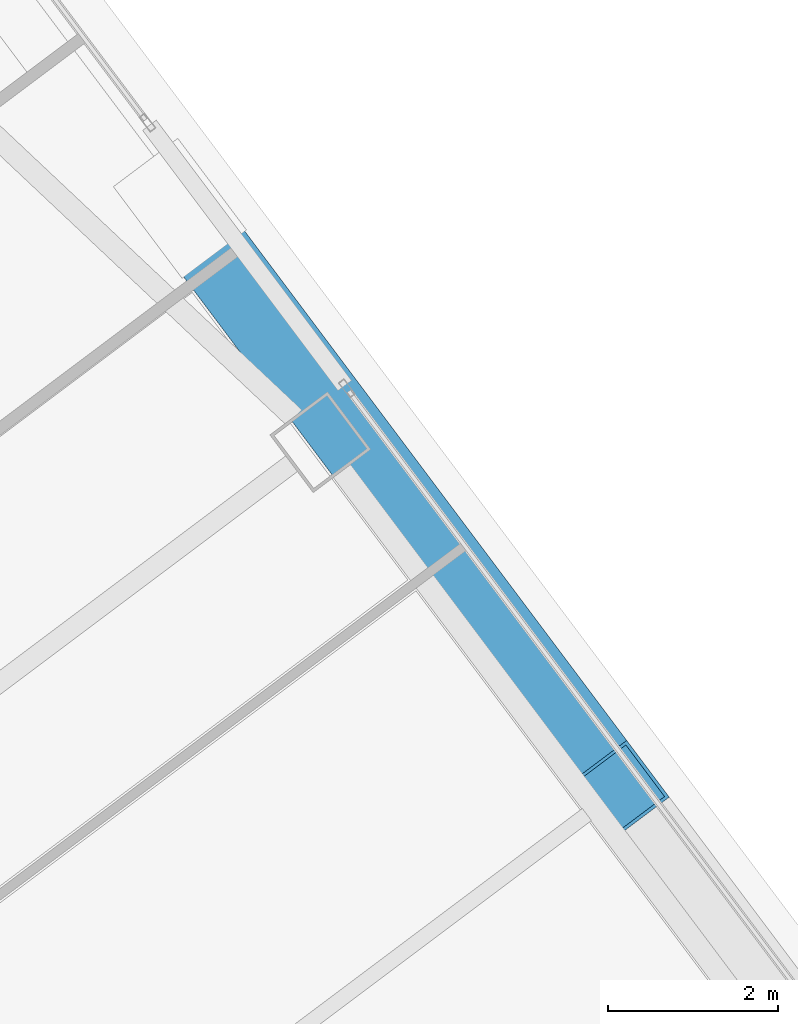
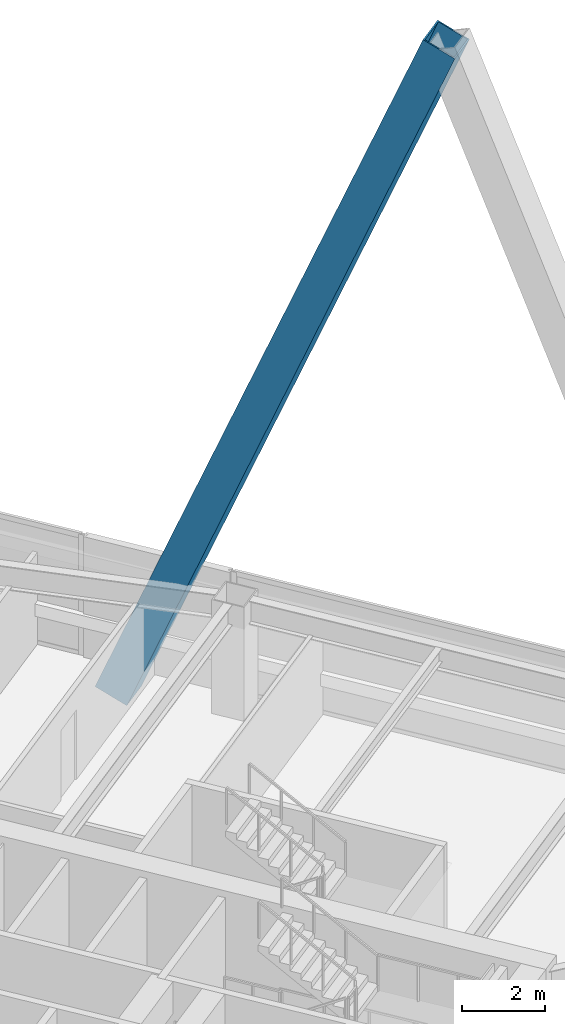
# One storey, part 38 of 54: 1 member.
"""IFC4 building model written with IfcOpenShell, lengths in metres."""

from ifc_helpers import new_model, si_unit, direction, frame, origin, origin_2d, place, context, subcontext, project, spatial, hollow_rectangle, extrude, material, material_profile, profile_set, type_object, element, save


model = new_model("IFC4")

# Units and contexts
model_context = context("Model", 3, precision=1e-05, world=origin(), true_north=direction((0.0, 1.0)))
body_context = subcontext(model_context, "Body", "Model", "MODEL_VIEW")
ifc_project = project(units=[si_unit("LENGTHUNIT", "METRE"), si_unit("AREAUNIT", "SQUARE_METRE"), si_unit("VOLUMEUNIT", "CUBIC_METRE"), si_unit("PLANEANGLEUNIT", "RADIAN"), si_unit("MASSUNIT", "GRAM", prefix="KILO")], contexts=[model_context])

# Site, building, storey
site_placement = place(None, origin())
site = spatial("IfcSite", under=ifc_project, at=site_placement, CompositionType="ELEMENT")
building_placement = place(site_placement, origin())
building = spatial("IfcBuilding", under=site, at=building_placement, Name="Tashvorn Skyway Center", CompositionType="ELEMENT")
storey_placement = place(building_placement, frame((0.0, 0.0, 88.5)))
storey = spatial("IfcBuildingStorey", under=building, at=storey_placement, Name="L23", CompositionType="ELEMENT", Elevation=88.5)

# Member
ifc_material = material(Name="Steel ASTM A572 Grade 50", Category="steel")
ifc_material_profile = material_profile(ifc_material, hollow_rectangle(XDim=0.89990234375, YDim=0.89990234375, WallThickness=0.0400390625, at=origin_2d()), Name="BOX900x900x40")
ifc_profile_set = profile_set([ifc_material_profile], Name="Steel ASTM A572 Grade 50")
member_type = type_object("IfcMemberType", Name="MEM-MB-900", PredefinedType="BRACE", material=ifc_profile_set)
member_placement = place(storey_placement, frame((124.50390625, 50.6279296875, -0.449951171875), z_axis=(0.223738848502, -0.298304350435, 0.927876846452), x_axis=(0.79998637334, 0.60001816845, 0.0)))
element("IfcMember", 1, at=member_placement, inside=storey, type_object=member_type, Name="Tower 2 Zone 2 E Chevron Mega-Brace R2", PredefinedType="BRACE", context=body_context, shape_type="SweptSolid", body=[
    extrude(hollow_rectangle(XDim=0.89990234375, YDim=0.89990234375, WallThickness=0.0400390625, at=origin_2d()), origin(), (0.0, 0.0, 1.0), 23.063232421875),
])

save(model, "model.ifc")
